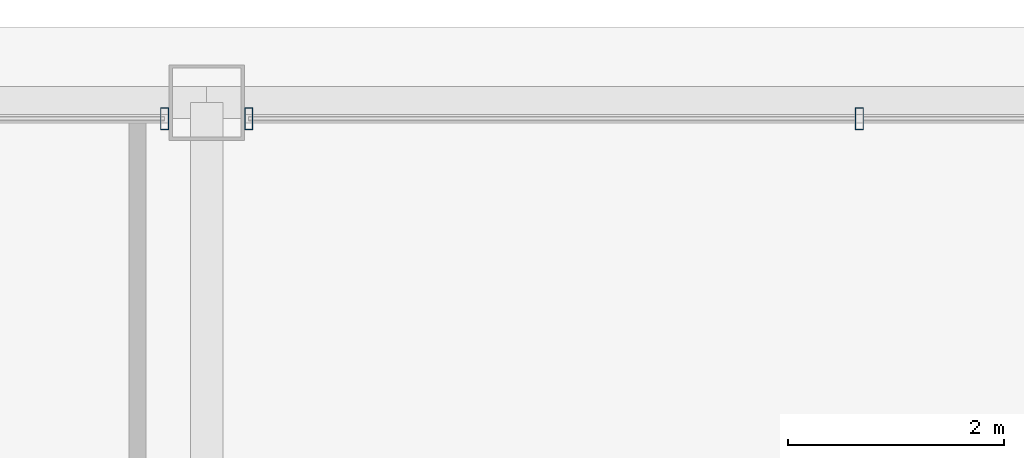
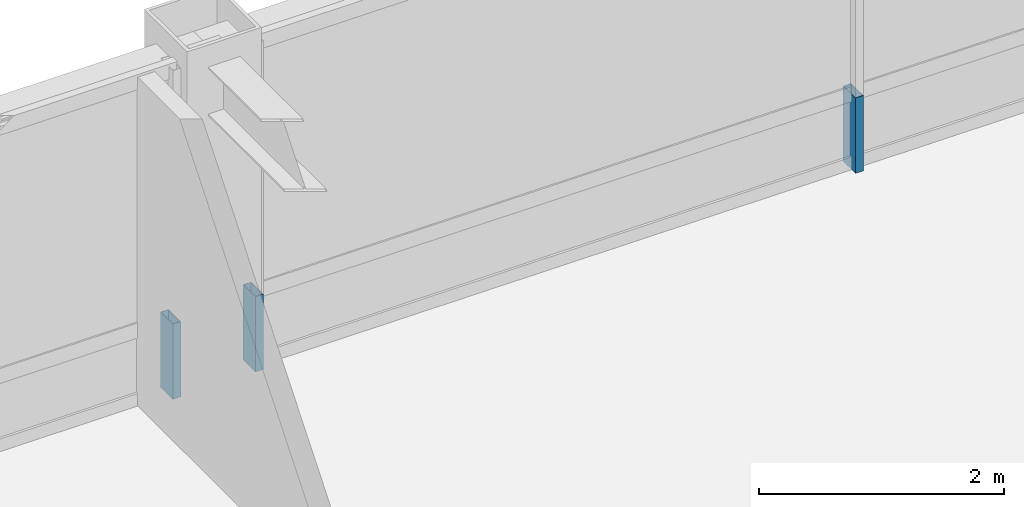
# One storey, part 25 of 33: 3 members, 2 elements without a shape of their own.
"""IFC4 building model written with IfcOpenShell, lengths in metres."""

from ifc_helpers import new_model, si_unit, direction, frame, origin, origin_2d, place, context, subcontext, project, spatial, hollow_rectangle, extrude, source, transform, mapped, material, layer, layer_set, material_profile, profile_set, type_object, element, aggregate, save


model = new_model("IFC4")

# Units and contexts
model_context = context("Model", 3, precision=1e-05, world=origin(), true_north=direction((0.0, 1.0)))
body_context = subcontext(model_context, "Body", "Model", "MODEL_VIEW")
ifc_project = project(units=[si_unit("LENGTHUNIT", "METRE"), si_unit("AREAUNIT", "SQUARE_METRE"), si_unit("VOLUMEUNIT", "CUBIC_METRE"), si_unit("PLANEANGLEUNIT", "RADIAN"), si_unit("MASSUNIT", "GRAM", prefix="KILO"), si_unit("THERMODYNAMICTEMPERATUREUNIT", "KELVIN"), si_unit("POWERUNIT", "WATT")], contexts=[model_context])

# Site, building, storey
site_placement = place(None, origin())
site = spatial("IfcSite", under=ifc_project, at=site_placement, CompositionType="ELEMENT")
building_placement = place(site_placement, origin())
building = spatial("IfcBuilding", under=site, at=building_placement, Name="Yuzanri Waterfront Tower", CompositionType="ELEMENT")
storey_placement = place(building_placement, frame((0.0, 0.0, 321.699951171875)))
storey = spatial("IfcBuildingStorey", under=building, at=storey_placement, Name="L86", CompositionType="ELEMENT", Elevation=321.699951171875)

# Curtain wall, member
ifc_material_1 = material(Name="Anodized Architectural Bronze", Category="metal")
ifc_layer = layer(ifc_material_1, 0.159912109375)
ifc_layer_set = layer_set([ifc_layer], Name="Anodized Architectural Bronze")
curtain_wall_type = type_object("IfcCurtainWallType", Name="Anodized Bronze High-Rise Penthouse High-Wind Unitized Curtain Wall 6900", PredefinedType="NOTDEFINED", material=ifc_layer_set)
curtain_wall_1_placement = place(storey_placement, origin())
curtain_wall_1 = element("IfcCurtainWall", 1, at=curtain_wall_1_placement, inside=storey, type_object=curtain_wall_type, Name="L86 Curtain Wall CW-L86-NL", PredefinedType="NOTDEFINED")
ifc_material_2 = material(Name="Anodized Architectural Bronze", Category="metal")
ifc_material_profile = material_profile(ifc_material_2, hollow_rectangle(XDim=0.074951171875, YDim=0.199951171875, WallThickness=0.00390625, at=origin_2d()), Name="CWM 75x200")
ifc_profile_set = profile_set([ifc_material_profile], Name="Anodized Architectural Bronze")
member_type = type_object("IfcMemberType", Name="Anodized Bronze Primary Curtain-Wall Mullion 75x200", PredefinedType="MULLION", material=ifc_profile_set)
shared_shape = source(origin(), body_context, "Body", "SweptSolid", [
    extrude(hollow_rectangle(XDim=0.074951171875, YDim=0.199951171875, WallThickness=0.00390625, at=origin_2d()), origin(), (0.0, 0.0, 1.0), 0.751953125),
])
member_1_placement = place(storey_placement, frame((36.610107421875, 44.75, 0.0), z_axis=(0.0, 0.0, 1.0), x_axis=(1.0, 0.0, 0.0)))
member_1 = element("IfcMember", 2, at=member_1_placement, type_object=member_type, Name="CW-L86-NL Lower Mullion 02", PredefinedType="MULLION", context=body_context, shape_type="MappedRepresentation", body=[
    mapped(shared_shape, transform((0.0, 0.0, 0.0), scale=1.0)),
])
aggregate(curtain_wall_1, [member_1])

# Curtain wall, members
curtain_wall_2_placement = place(storey_placement, origin())
curtain_wall_2 = element("IfcCurtainWall", 3, at=curtain_wall_2_placement, inside=storey, type_object=curtain_wall_type, Name="L86 Curtain Wall CW-L86-NR", PredefinedType="NOTDEFINED")
member_2_placement = place(storey_placement, frame((37.389892578125, 44.75, 0.0), z_axis=(0.0, 0.0, 1.0), x_axis=(1.0, 0.0, 0.0)))
member_2 = element("IfcMember", 4, at=member_2_placement, type_object=member_type, Name="CW-L86-NR Lower Mullion 00", PredefinedType="MULLION", context=body_context, shape_type="MappedRepresentation", body=[
    mapped(shared_shape, transform((0.0, 0.0, 0.0), scale=1.0)),
])
member_3_placement = place(storey_placement, frame((43.050048828125, 44.75, 0.0), z_axis=(0.0, 0.0, 1.0), x_axis=(1.0, 0.0, 0.0)))
member_3 = element("IfcMember", 5, at=member_3_placement, type_object=member_type, Name="CW-L86-NR Lower Mullion 01", PredefinedType="MULLION", context=body_context, shape_type="MappedRepresentation", body=[
    mapped(shared_shape, transform((0.0, 0.0, 0.0), scale=1.0)),
])
aggregate(curtain_wall_2, [member_2, member_3])

save(model, "model.ifc")
